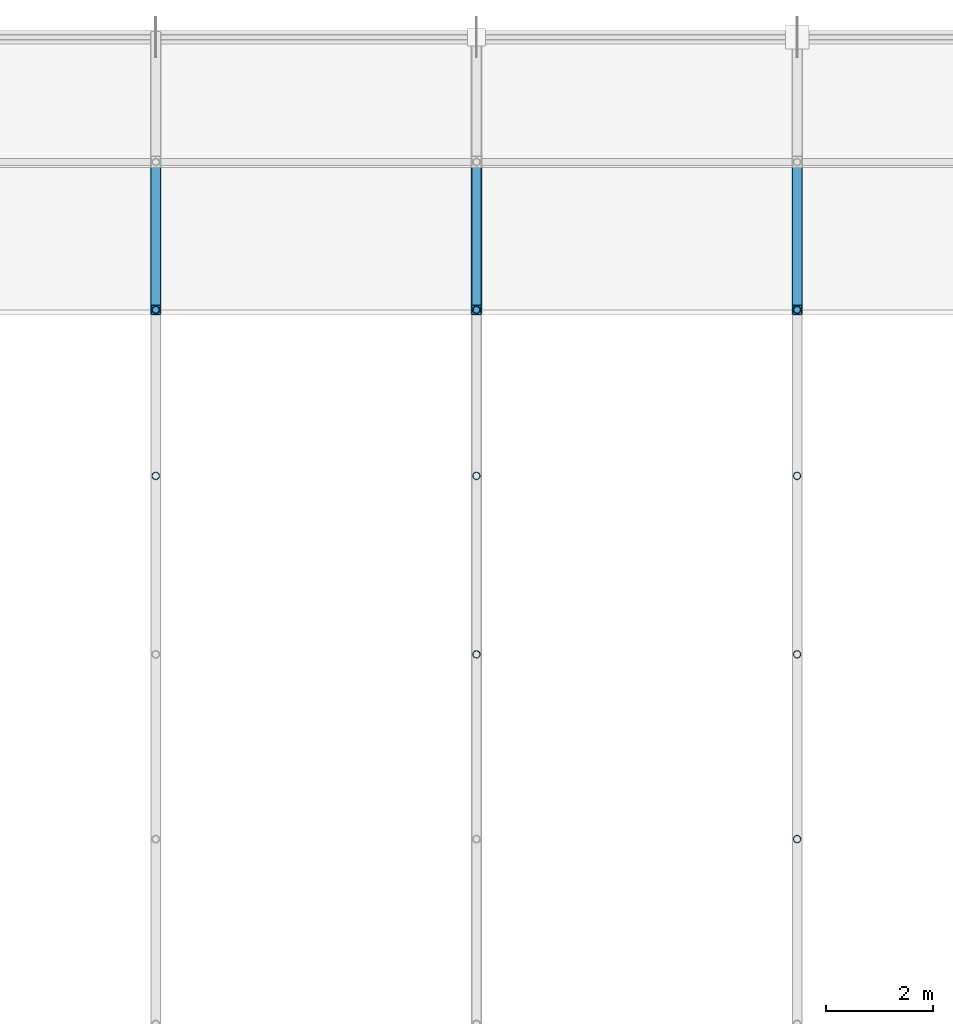
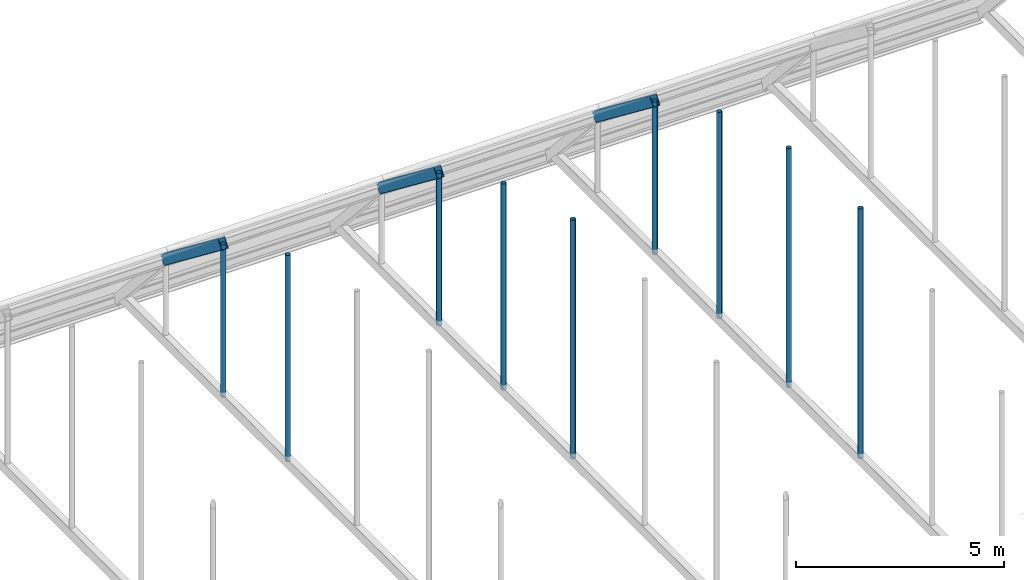
# One storey, part 32 of 63: 9 members, 3 beams.
"""IFC4 building model written with IfcOpenShell, lengths in metres."""

from ifc_helpers import new_model, si_unit, direction, frame, origin, origin_2d, place, context, subcontext, project, spatial, hollow_rectangle, hollow_circle, extrude, material, material_profile, profile_set, type_object, element, save


model = new_model("IFC4")

# Units and contexts
model_context = context("Model", 3, precision=1e-05, world=origin(), true_north=direction((0.0, 1.0)))
body_context = subcontext(model_context, "Body", "Model", "MODEL_VIEW")
ifc_project = project(units=[si_unit("LENGTHUNIT", "METRE"), si_unit("AREAUNIT", "SQUARE_METRE"), si_unit("VOLUMEUNIT", "CUBIC_METRE"), si_unit("PLANEANGLEUNIT", "RADIAN"), si_unit("MASSUNIT", "GRAM", prefix="KILO")], contexts=[model_context])

# Site, building, storey
site_placement = place(None, origin())
site = spatial("IfcSite", under=ifc_project, at=site_placement, CompositionType="ELEMENT")
building_placement = place(site_placement, origin())
building = spatial("IfcBuilding", under=site, at=building_placement, Name="Varnakota Square Police Headquarters", CompositionType="ELEMENT")
storey_placement = place(building_placement, frame((0.0, 0.0, 22.199951171875)))
storey = spatial("IfcBuildingStorey", under=building, at=storey_placement, Name="L05", CompositionType="ELEMENT", Elevation=22.199951171875)

# Beams
ifc_material = material(Name="Steel IS 2062 Grade 350", Category="steel")
ifc_material_profile_1 = material_profile(ifc_material, hollow_rectangle(XDim=0.199951171875, YDim=0.300048828125, WallThickness=0.011962890625, InnerFilletRadius=0.011962890625, OuterFilletRadius=0.02392578125, at=origin_2d()), Name="RHS 300x200x12")
ifc_profile_set_1 = profile_set([ifc_material_profile_1], Name="Steel IS 2062 Grade 350")
beam_type = type_object("IfcBeamType", Name="BM-VR-RHS300", PredefinedType="BEAM", material=ifc_profile_set_1)
for number, where, z_axis, x_axis, name in (
    (1, (72.0, 93.902099609375, 4.33837890625), (0.0, 0.792062306817, -0.610440252703), (-1.0, 0.0, 0.0), "Barrel vault arch rib chord VR-V2-R03-S09"),
    (2, (78.0, 93.902099609375, 4.33837890625), (0.0, 0.792062306817, -0.610440252703), (-1.0, 0.0, 0.0), "Barrel vault arch rib chord VR-V2-R04-S09"),
    (3, (84.0, 93.902099609375, 4.33837890625), (0.0, 0.792062306817, -0.610440252703), (-1.0, 0.0, 0.0), "Barrel vault arch rib chord VR-V2-R05-S09"),
):
    element("IfcBeam", number, at=place(storey_placement, frame(where, z_axis=z_axis, x_axis=x_axis)), inside=storey, type_object=beam_type, Name=name, PredefinedType="BEAM", context=body_context, shape_type="SweptSolid", body=[
        extrude(hollow_rectangle(XDim=0.199951171875, YDim=0.300048828125, WallThickness=0.011962890625, InnerFilletRadius=0.011962890625, OuterFilletRadius=0.02392578125, at=origin_2d()), origin(), (0.0, 0.0, 1.0), 3.4921875),
    ])

# Members
ifc_material_profile_2 = material_profile(ifc_material, hollow_circle(Radius=0.06982421875, WallThickness=0.006103515625, at=origin_2d()), Name="CHS 139.7x6.0")
ifc_profile_set_2 = profile_set([ifc_material_profile_2], Name="Steel IS 2062 Grade 350")
member_type = type_object("IfcMemberType", Name="MEM-HNG-CHS139", PredefinedType="STRUT", material=ifc_profile_set_2)
member_1_placement = place(storey_placement, frame((72.0, 90.79638671875, -0.14990234375), z_axis=(0.0, 0.0, 1.0), x_axis=(1.0, 0.0, 0.0)))
element("IfcMember", 4, at=member_1_placement, inside=storey, type_object=member_type, Name="Barrel vault hanger strut V2-R03-N7", PredefinedType="STRUT", context=body_context, shape_type="SweptSolid", body=[
    extrude(hollow_circle(Radius=0.06982421875, WallThickness=0.006103515625, at=origin_2d()), origin(), (0.0, 0.0, 1.0), 6.060302734375),
])
member_2_placement = place(storey_placement, frame((72.0, 93.902099609375, -0.14990234375), z_axis=(0.0, 0.0, 1.0), x_axis=(1.0, 0.0, 0.0)))
element("IfcMember", 5, at=member_2_placement, inside=storey, type_object=member_type, Name="Barrel vault hanger strut V2-R03-N8", PredefinedType="STRUT", context=body_context, shape_type="SweptSolid", body=[
    extrude(hollow_circle(Radius=0.06982421875, WallThickness=0.006103515625, at=origin_2d()), origin(), (0.0, 0.0, 1.0), 4.48828125),
])
member_3_placement = place(storey_placement, frame((78.0, 87.45751953125, -0.14990234375), z_axis=(0.0, 0.0, 1.0), x_axis=(1.0, 0.0, 0.0)))
element("IfcMember", 6, at=member_3_placement, inside=storey, type_object=member_type, Name="Barrel vault hanger strut V2-R04-N6", PredefinedType="STRUT", context=body_context, shape_type="SweptSolid", body=[
    extrude(hollow_circle(Radius=0.06982421875, WallThickness=0.006103515625, at=origin_2d()), origin(), (0.0, 0.0, 1.0), 7.02490234375),
])
member_4_placement = place(storey_placement, frame((78.0, 90.79638671875, -0.14990234375), z_axis=(0.0, 0.0, 1.0), x_axis=(1.0, 0.0, 0.0)))
element("IfcMember", 7, at=member_4_placement, inside=storey, type_object=member_type, Name="Barrel vault hanger strut V2-R04-N7", PredefinedType="STRUT", context=body_context, shape_type="SweptSolid", body=[
    extrude(hollow_circle(Radius=0.06982421875, WallThickness=0.006103515625, at=origin_2d()), origin(), (0.0, 0.0, 1.0), 6.060302734375),
])
member_5_placement = place(storey_placement, frame((78.0, 93.902099609375, -0.14990234375), z_axis=(0.0, 0.0, 1.0), x_axis=(1.0, 0.0, 0.0)))
element("IfcMember", 8, at=member_5_placement, inside=storey, type_object=member_type, Name="Barrel vault hanger strut V2-R04-N8", PredefinedType="STRUT", context=body_context, shape_type="SweptSolid", body=[
    extrude(hollow_circle(Radius=0.06982421875, WallThickness=0.006103515625, at=origin_2d()), origin(), (0.0, 0.0, 1.0), 4.48828125),
])
member_6_placement = place(storey_placement, frame((84.0, 84.0, -0.14990234375), z_axis=(0.0, 0.0, 1.0), x_axis=(1.0, 0.0, 0.0)))
element("IfcMember", 9, at=member_6_placement, inside=storey, type_object=member_type, Name="Barrel vault hanger strut V2-R05-N5", PredefinedType="STRUT", context=body_context, shape_type="SweptSolid", body=[
    extrude(hollow_circle(Radius=0.06982421875, WallThickness=0.006103515625, at=origin_2d()), origin(), (0.0, 0.0, 1.0), 7.351318359375),
])
member_7_placement = place(storey_placement, frame((84.0, 87.45751953125, -0.14990234375), z_axis=(0.0, 0.0, 1.0), x_axis=(1.0, 0.0, 0.0)))
element("IfcMember", 10, at=member_7_placement, inside=storey, type_object=member_type, Name="Barrel vault hanger strut V2-R05-N6", PredefinedType="STRUT", context=body_context, shape_type="SweptSolid", body=[
    extrude(hollow_circle(Radius=0.06982421875, WallThickness=0.006103515625, at=origin_2d()), origin(), (0.0, 0.0, 1.0), 7.02490234375),
])
member_8_placement = place(storey_placement, frame((84.0, 90.79638671875, -0.14990234375), z_axis=(0.0, 0.0, 1.0), x_axis=(1.0, 0.0, 0.0)))
element("IfcMember", 11, at=member_8_placement, inside=storey, type_object=member_type, Name="Barrel vault hanger strut V2-R05-N7", PredefinedType="STRUT", context=body_context, shape_type="SweptSolid", body=[
    extrude(hollow_circle(Radius=0.06982421875, WallThickness=0.006103515625, at=origin_2d()), origin(), (0.0, 0.0, 1.0), 6.060302734375),
])
member_9_placement = place(storey_placement, frame((84.0, 93.902099609375, -0.14990234375), z_axis=(0.0, 0.0, 1.0), x_axis=(1.0, 0.0, 0.0)))
element("IfcMember", 12, at=member_9_placement, inside=storey, type_object=member_type, Name="Barrel vault hanger strut V2-R05-N8", PredefinedType="STRUT", context=body_context, shape_type="SweptSolid", body=[
    extrude(hollow_circle(Radius=0.06982421875, WallThickness=0.006103515625, at=origin_2d()), origin(), (0.0, 0.0, 1.0), 4.48828125),
])

save(model, "model.ifc")
